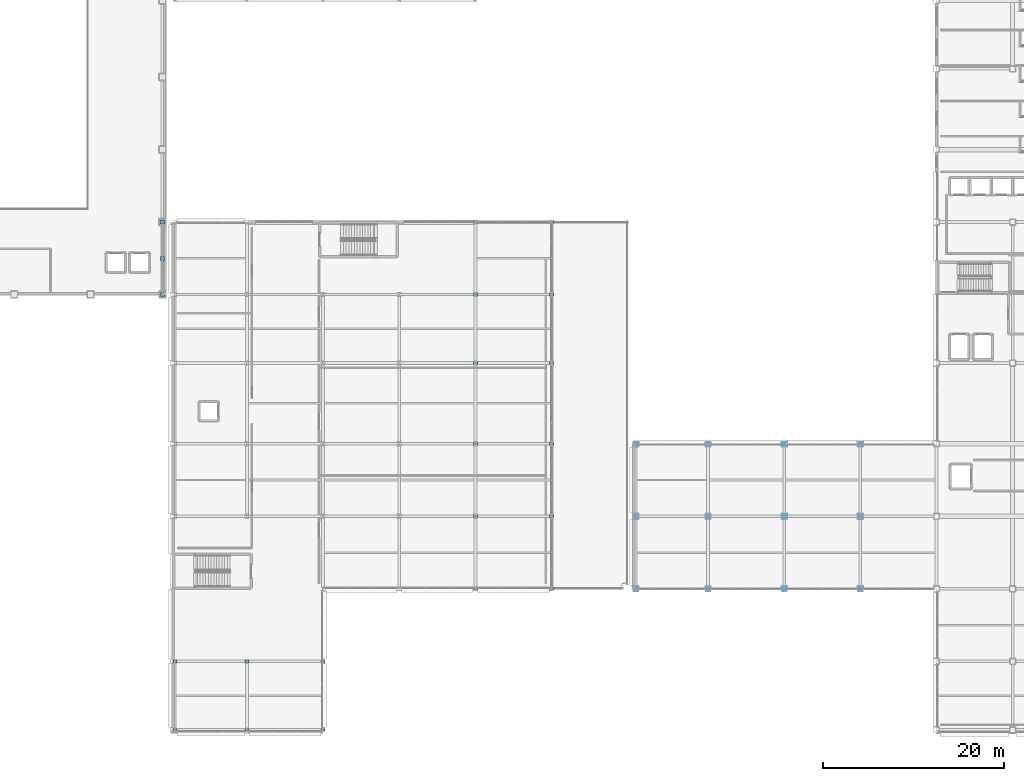
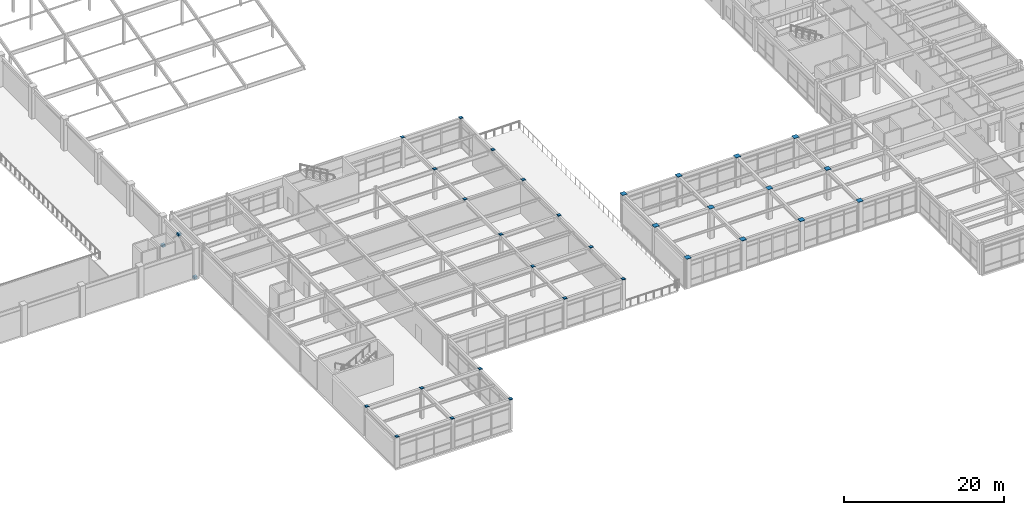
# One storey, part 84 of 93: 33 discrete accessories.
"""IFC4 building model written with IfcOpenShell, lengths in metres."""

from ifc_helpers import new_model, si_unit, direction, frame, origin, origin_2d, place, context, subcontext, project, spatial, rectangle, extrude, material, layer, layer_set, type_object, element, save


model = new_model("IFC4")

# Units and contexts
model_context = context("Model", 3, precision=1e-05, world=origin(), true_north=direction((0.0, 1.0)))
body_context = subcontext(model_context, "Body", "Model", "MODEL_VIEW")
ifc_project = project(units=[si_unit("LENGTHUNIT", "METRE"), si_unit("AREAUNIT", "SQUARE_METRE"), si_unit("VOLUMEUNIT", "CUBIC_METRE"), si_unit("PLANEANGLEUNIT", "RADIAN"), si_unit("MASSUNIT", "GRAM", prefix="KILO")], contexts=[model_context])

# Site, building, storey
site_placement = place(None, origin())
site = spatial("IfcSite", under=ifc_project, at=site_placement, CompositionType="ELEMENT")
building_placement = place(site_placement, origin())
building = spatial("IfcBuilding", under=site, at=building_placement, Name="Kazehara Bluff Congress Hotel", CompositionType="ELEMENT")
storey_placement = place(building_placement, frame((0.0, 0.0, 15.0)))
storey = spatial("IfcBuildingStorey", under=building, at=storey_placement, Name="L03", CompositionType="ELEMENT", Elevation=15.0)

# Discrete accessories
ifc_material_1 = material(Name="Steel SN490B", Category="steel")
ifc_layer_1 = layer(ifc_material_1, 0.06005859375)
ifc_layer_set_1 = layer_set([ifc_layer_1], Name="Steel SN490B")
discrete_accessory_type_1 = type_object("IfcDiscreteAccessoryType", Name="TP-CAP-BLK", PredefinedType="BRACKET", material=ifc_layer_set_1)
for number, where, z_axis, x_axis, name in (
    (1, (59.699951171875, 0.449951171875, 4.530029296875), (0.0, 0.0, 1.0), (1.0, 0.0, 0.0), "Hollow column welded cap plate L03 994"),
    (2, (59.699951171875, 8.0, 4.530029296875), (0.0, 0.0, 1.0), (1.0, 0.0, 0.0), "Hollow column welded cap plate L03 995"),
    (3, (67.64990234375, 0.449951171875, 4.530029296875), (0.0, 0.0, 1.0), (1.0, 0.0, 0.0), "Hollow column welded cap plate L03 1001"),
    (4, (67.64990234375, 8.0, 4.530029296875), (0.0, 0.0, 1.0), (1.0, 0.0, 0.0), "Hollow column welded cap plate L03 1002"),
    (5, (76.050048828125, 0.449951171875, 4.530029296875), (0.0, 0.0, 1.0), (1.0, 0.0, 0.0), "Hollow column welded cap plate L03 1008"),
    (6, (76.050048828125, 8.0, 4.530029296875), (0.0, 0.0, 1.0), (1.0, 0.0, 0.0), "Hollow column welded cap plate L03 1009"),
    (7, (92.85009765625, 16.0, 4.530029296875), (0.0, 0.0, 1.0), (1.0, 0.0, 0.0), "Hollow column welded cap plate L03 1020"),
    (8, (92.85009765625, 24.0, 4.530029296875), (0.0, 0.0, 1.0), (1.0, 0.0, 0.0), "Hollow column welded cap plate L03 1021"),
    (9, (92.85009765625, 32.0, 4.530029296875), (0.0, 0.0, 1.0), (1.0, 0.0, 0.0), "Hollow column welded cap plate L03 1022"),
    (10, (92.85009765625, 40.89990234375, 4.530029296875), (0.0, 0.0, 1.0), (1.0, 0.0, 0.0), "Hollow column welded cap plate L03 1023"),
    (11, (92.85009765625, 48.449951171875, 4.530029296875), (0.0, 0.0, 1.0), (1.0, 0.0, 0.0), "Hollow column welded cap plate L03 1024"),
    (12, (92.85009765625, 56.449951171875, 4.530029296875), (0.0, 0.0, 1.0), (1.0, 0.0, 0.0), "Hollow column welded cap plate L03 1025"),
    (13, (101.25, 16.0, 4.530029296875), (0.0, 0.0, 1.0), (1.0, 0.0, 0.0), "Hollow column welded cap plate L03 1026"),
    (14, (101.25, 24.0, 4.530029296875), (0.0, 0.0, 1.0), (1.0, 0.0, 0.0), "Hollow column welded cap plate L03 1027"),
    (15, (101.25, 32.0, 4.530029296875), (0.0, 0.0, 1.0), (1.0, 0.0, 0.0), "Hollow column welded cap plate L03 1028"),
    (16, (101.25, 40.89990234375, 4.530029296875), (0.0, 0.0, 1.0), (1.0, 0.0, 0.0), "Hollow column welded cap plate L03 1029"),
    (17, (101.25, 48.449951171875, 4.530029296875), (0.0, 0.0, 1.0), (1.0, 0.0, 0.0), "Hollow column welded cap plate L03 1030"),
    (18, (101.25, 56.449951171875, 4.530029296875), (0.0, 0.0, 1.0), (1.0, 0.0, 0.0), "Hollow column welded cap plate L03 1031"),
):
    element("IfcDiscreteAccessory", number, at=place(storey_placement, frame(where, z_axis=z_axis, x_axis=x_axis)), inside=storey, type_object=discrete_accessory_type_1, Name=name, PredefinedType="BRACKET", context=body_context, shape_type="SweptSolid", body=[
        extrude(rectangle(XDim=0.43994140625, YDim=0.43994140625, at=origin_2d()), origin(), (0.0, 0.0, 1.0), 0.06005859375),
    ])
for number, where, z_axis, x_axis, name in (
    (19, (110.550048828125, 16.0, 4.530029296875), (0.0, 0.0, 1.0), (1.0, 0.0, 0.0), "Hollow column welded cap plate L03 1032"),
    (20, (110.550048828125, 24.0, 4.530029296875), (0.0, 0.0, 1.0), (1.0, 0.0, 0.0), "Hollow column welded cap plate L03 1033"),
    (21, (110.550048828125, 32.0, 4.530029296875), (0.0, 0.0, 1.0), (1.0, 0.0, 0.0), "Hollow column welded cap plate L03 1034"),
    (22, (118.5, 16.0, 4.530029296875), (0.0, 0.0, 1.0), (1.0, 0.0, 0.0), "Hollow column welded cap plate L03 1035"),
    (23, (118.5, 24.0, 4.530029296875), (0.0, 0.0, 1.0), (1.0, 0.0, 0.0), "Hollow column welded cap plate L03 1036"),
    (24, (118.5, 32.0, 4.530029296875), (0.0, 0.0, 1.0), (1.0, 0.0, 0.0), "Hollow column welded cap plate L03 1037"),
    (25, (126.89990234375, 16.0, 4.530029296875), (0.0, 0.0, 1.0), (1.0, 0.0, 0.0), "Hollow column welded cap plate L03 1038"),
    (26, (126.89990234375, 24.0, 4.530029296875), (0.0, 0.0, 1.0), (1.0, 0.0, 0.0), "Hollow column welded cap plate L03 1039"),
    (27, (126.89990234375, 32.0, 4.530029296875), (0.0, 0.0, 1.0), (1.0, 0.0, 0.0), "Hollow column welded cap plate L03 1040"),
    (28, (135.300048828125, 16.0, 4.530029296875), (0.0, 0.0, 1.0), (1.0, 0.0, 0.0), "Hollow column welded cap plate L03 1041"),
    (29, (135.300048828125, 24.0, 4.530029296875), (0.0, 0.0, 1.0), (1.0, 0.0, 0.0), "Hollow column welded cap plate L03 1042"),
    (30, (135.300048828125, 32.0, 4.530029296875), (0.0, 0.0, 1.0), (1.0, 0.0, 0.0), "Hollow column welded cap plate L03 1043"),
):
    element("IfcDiscreteAccessory", number, at=place(storey_placement, frame(where, z_axis=z_axis, x_axis=x_axis)), inside=storey, type_object=discrete_accessory_type_1, Name=name, PredefinedType="BRACKET", context=body_context, shape_type="SweptSolid", body=[
        extrude(rectangle(XDim=0.68994140625, YDim=0.68994140625, at=origin_2d()), origin(), (0.0, 0.0, 1.0), 0.06005859375),
    ])
ifc_material_2 = material(Name="Steel SN490B", Category="steel")
ifc_layer_2 = layer(ifc_material_2, 0.360107421875)
ifc_layer_set_2 = layer_set([ifc_layer_2], Name="Steel SN490B")
discrete_accessory_type_2 = type_object("IfcDiscreteAccessoryType", Name="TP-CAP-BRN", PredefinedType="BRACKET", material=ifc_layer_set_2)
for number, where, z_axis, x_axis, name in (
    (31, (58.35009765625, 52.449951171875, 4.10498046875), (0.0, 0.0, 1.0), (1.0, 0.0, 0.0), "Chevron apex node L03 11"),
    (32, (58.35009765625, 48.449951171875, -0.0302734375), (0.0, 0.0, 1.0), (1.0, 0.0, 0.0), "Chevron foot node L03 11A"),
    (33, (58.35009765625, 56.449951171875, -0.0302734375), (0.0, 0.0, 1.0), (1.0, 0.0, 0.0), "Chevron foot node L03 11B"),
):
    element("IfcDiscreteAccessory", number, at=place(storey_placement, frame(where, z_axis=z_axis, x_axis=x_axis)), inside=storey, type_object=discrete_accessory_type_2, Name=name, PredefinedType="BRACKET", context=body_context, shape_type="SweptSolid", body=[
        extrude(rectangle(XDim=0.43994140625, YDim=0.43994140625, at=origin_2d()), origin(), (0.0, 0.0, 1.0), 0.360107421875),
    ])

save(model, "model.ifc")
